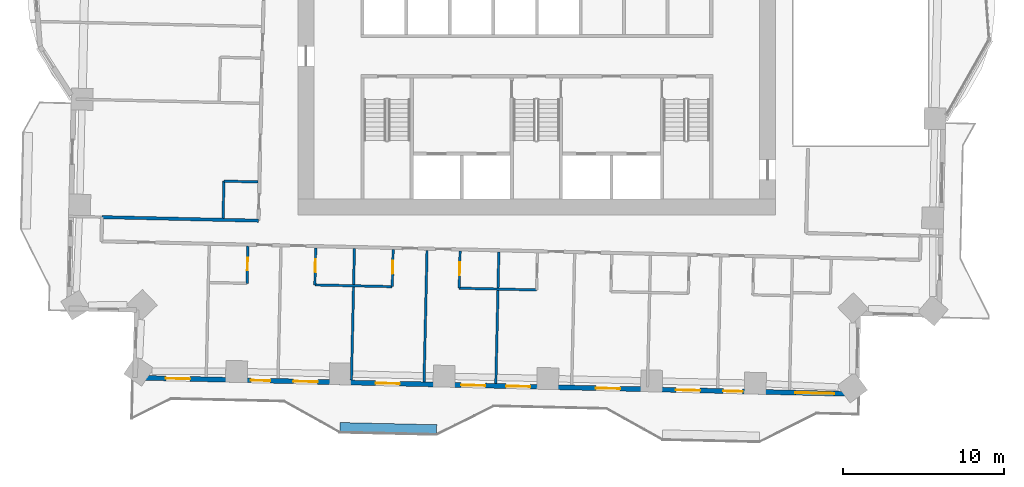
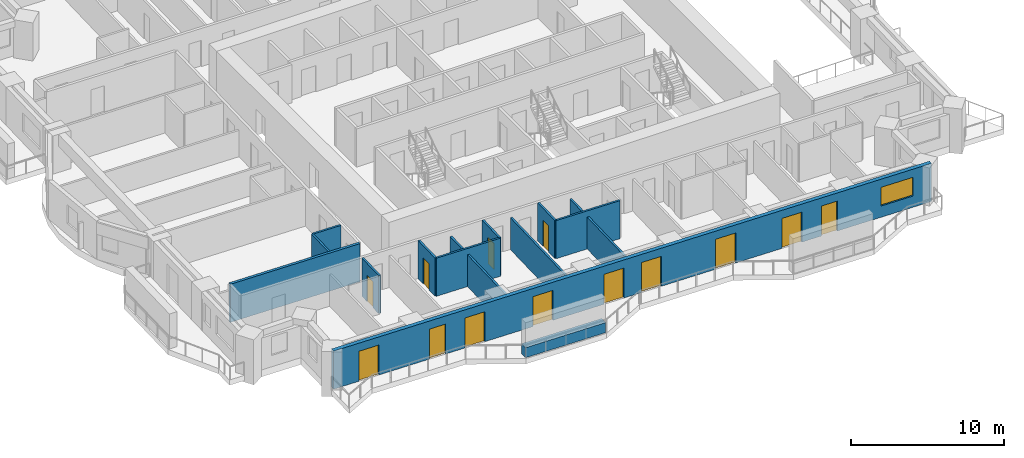
# One storey, part 6 of 16: 14 walls, 13 doors, 1 window, 14 openings.
"""IFC4 building model written with IfcOpenShell, lengths in metres."""

import ifcopenshell
import ifcopenshell.guid

model = None  # the IFC model being written
_history = None  # IfcOwnerHistory: only IFC2X3 demands one
_inside = {}  # id of a spatial element -> (the spatial element, [elements in it])
_under = {}  # id of a project, library or spatial element -> (it, [spatial elements below it])
_declared = {}  # id of a project -> (the project, [libraries it declares])
_typed = {}  # id of a type object -> (the type object, [elements of that type])
_made_of = {}  # id of a material, layer set ... -> (it, [elements and type objects made of it])


def new_model(schema):
    """Start an empty IFC model of exactly this schema.

    Asked for "IFC4X3", IfcOpenShell would pick the latest addendum, in which some entities
    have other attributes; the version numbers below select the first issue.
    IFC2X3 requires an IfcOwnerHistory on every rooted entity: one is made here for all.
    """
    global model, _history
    if schema == "IFC4X3":
        model = ifcopenshell.file(schema_version=(4, 3, 0, 0))
    else:
        model = ifcopenshell.file(schema=schema)
    _inside.clear()
    _under.clear()
    _declared.clear()
    _typed.clear()
    _made_of.clear()
    _history = None
    if model.schema == "IFC2X3":
        org = make("IfcOrganization", Name="unknown")
        user = make(
            "IfcPersonAndOrganization",
            ThePerson=make("IfcPerson", FamilyName="unknown"),
            TheOrganization=org,
        )
        app = make(
            "IfcApplication",
            ApplicationDeveloper=org,
            Version="unknown",
            ApplicationFullName="unknown",
            ApplicationIdentifier="unknown",
        )
        _history = make(
            "IfcOwnerHistory",
            OwningUser=user,
            OwningApplication=app,
            ChangeAction="ADDED",
            CreationDate=0,
        )
    return model


def make(cls, **values):
    """One entity of the class cls with the attributes given. An attribute that is None is left unset."""
    return model.create_entity(
        cls, **{name: value for name, value in values.items() if value is not None}
    )


def rooted(cls, **values):
    """An entity with a GlobalId (a new one), such as an element, a storey or a relation."""
    return make(cls, GlobalId=ifcopenshell.guid.new(), OwnerHistory=_history, **values)


def si_unit(unit_type, name, prefix=None):
    """IfcSIUnit, for example si_unit("LENGTHUNIT", "METRE", prefix="MILLI")."""
    return make("IfcSIUnit", UnitType=unit_type, Prefix=prefix, Name=name)


def assignment(units):
    """IfcUnitAssignment: the units of a project."""
    return None if units is None else make("IfcUnitAssignment", Units=units)


def point(xyz):
    """IfcCartesianPoint."""
    return None if xyz is None else make("IfcCartesianPoint", Coordinates=xyz)


def direction(xyz):
    """IfcDirection."""
    return None if xyz is None else make("IfcDirection", DirectionRatios=xyz)


def frame(location, z_axis=None, x_axis=None):
    """IfcAxis2Placement3D, a coordinate frame: its origin and axes. An axis left out is left unset."""
    return make(
        "IfcAxis2Placement3D",
        Location=point(location),
        Axis=direction(z_axis),
        RefDirection=direction(x_axis),
    )


def frame_2d(location, x_axis=None):
    """IfcAxis2Placement2D, a coordinate frame in the plane: its origin and x axis."""
    return make(
        "IfcAxis2Placement2D", Location=point(location), RefDirection=direction(x_axis)
    )


def origin():
    """The frame at (0, 0, 0) with its axes left unset."""
    return frame((0.0, 0.0, 0.0))


def place(relative_to, where):
    """IfcLocalPlacement: puts the frame where relative to a parent placement (None: the world)."""
    return make(
        "IfcLocalPlacement", PlacementRelTo=relative_to, RelativePlacement=where
    )


def context(
    kind, dimensions, precision=None, world=None, true_north=None, identifier=None
):
    """IfcGeometricRepresentationContext, for example the 3D "Model" context."""
    return make(
        "IfcGeometricRepresentationContext",
        ContextIdentifier=identifier,
        ContextType=kind,
        CoordinateSpaceDimension=dimensions,
        Precision=precision,
        WorldCoordinateSystem=world,
        TrueNorth=true_north,
    )


def subcontext(parent, identifier, kind, view, scale=None):
    """IfcGeometricRepresentationSubContext, for example "Body" below "Model"."""
    return make(
        "IfcGeometricRepresentationSubContext",
        ContextIdentifier=identifier,
        ContextType=kind,
        ParentContext=parent,
        TargetScale=scale,
        TargetView=view,
    )


def project(units=None, contexts=None):
    """IfcProject with its units and contexts."""
    return rooted(
        "IfcProject",
        Name="project",
        RepresentationContexts=contexts,
        UnitsInContext=assignment(units),
    )


def spatial(cls, under=None, at=None, **own):
    """A site, building, storey or space (cls), placed at a placement, below another one or the project."""
    s = rooted(cls, ObjectPlacement=at, **own)
    if under is not None:
        _under.setdefault(under.id(), (under, []))[1].append(s)
    return s


def profile(cls, at=None, kind="AREA", **sizes):
    """A parametric profile (cls). Its sizes go by their IFC names, for example OverallWidth=200.0."""
    return make(cls, ProfileType=kind, Position=at, **sizes)


def rectangle(**sizes):
    """IfcRectangleProfileDef."""
    return profile("IfcRectangleProfileDef", **sizes)


def extrude(swept, where, along, depth):
    """IfcExtrudedAreaSolid: the profile swept, set in the frame where, extruded along a direction by depth."""
    return make(
        "IfcExtrudedAreaSolid",
        SweptArea=swept,
        Position=where,
        ExtrudedDirection=direction(along),
        Depth=depth,
    )


def shape(context_of_items, identifier, shape_type, items):
    """IfcShapeRepresentation: the items that make up one representation, for example the "Body"."""
    return make(
        "IfcShapeRepresentation",
        ContextOfItems=context_of_items,
        RepresentationIdentifier=identifier,
        RepresentationType=shape_type,
        Items=items,
    )


def material(Name=None, Category=None):
    """IfcMaterial."""
    return make("IfcMaterial", Name=Name, Category=Category)


def layer(
    of_material, thickness, ventilated=None, Name=None, Category=None, Priority=None
):
    """IfcMaterialLayer: one layer of a wall or slab, of a material (None: an air gap)."""
    return make(
        "IfcMaterialLayer",
        Material=of_material,
        LayerThickness=thickness,
        IsVentilated=ventilated,
        Name=Name,
        Category=Category,
        Priority=Priority,
    )


def layer_set(layers, Name=None):
    """IfcMaterialLayerSet."""
    return make("IfcMaterialLayerSet", MaterialLayers=layers, LayerSetName=Name)


def made_of(thing, what):
    """Note that an element or type object is made of a material, layer set ...; save() writes the relation."""
    if what is not None:
        _made_of.setdefault(what.id(), (what, []))[1].append(thing)
    return thing


def type_object(cls, material=None, **own):
    """A type object (cls), such as IfcWallType, which elements share."""
    return made_of(rooted(cls, **own), material)


def element(
    cls,
    number,
    at=None,
    inside=None,
    cuts=None,
    type_object=None,
    material=None,
    context=None,
    identifier="Body",
    shape_type=None,
    held_by="IfcProductDefinitionShape",
    body=None,
    shapes=None,
    **own,
):
    """One element of the class cls, such as IfcWall. Its Tag is "e" and its number.

    at: its placement. inside: the storey or other place that contains it. cuts: it is an
    opening in that element (IfcRelVoidsElement). A single representation is given by context,
    identifier, shape_type and body (its items); several are given by shapes. held_by: the class
    of the entity that holds the representations. save() writes the other relations.
    """
    e = rooted(cls, Tag="e%d" % number, ObjectPlacement=at, **own)
    if body is not None:
        shapes = [shape(context, identifier, shape_type, body)]
    if shapes is not None:
        e.Representation = make(held_by, Representations=shapes)
    if inside is not None:
        _inside.setdefault(inside.id(), (inside, []))[1].append(e)
    if cuts is not None:
        rooted(
            "IfcRelVoidsElement", RelatingBuildingElement=cuts, RelatedOpeningElement=e
        )
    if type_object is not None:
        _typed.setdefault(type_object.id(), (type_object, []))[1].append(e)
    return made_of(e, material)


def fill(opening, filler):
    """IfcRelFillsElement: the door or window that sits in an opening."""
    return rooted(
        "IfcRelFillsElement",
        RelatingOpeningElement=opening,
        RelatedBuildingElement=filler,
    )


def aggregate(whole, parts):
    """IfcRelAggregates: a whole, such as a stair, and the parts it consists of."""
    return rooted("IfcRelAggregates", RelatingObject=whole, RelatedObjects=parts)


def save(model, path):
    """Write the relations noted so far, then the file.

    IfcRelAggregates (storeys below a building ...), IfcRelContainedInSpatialStructure (elements
    in a storey), IfcRelDefinesByType, IfcRelAssociatesMaterial and IfcRelDeclares: one each for
    every whole, place, type object, material and project.
    """
    for whole, parts in _under.values():
        aggregate(whole, parts)
    for where, things in _inside.values():
        rooted(
            "IfcRelContainedInSpatialStructure",
            RelatedElements=things,
            RelatingStructure=where,
        )
    for kind, things in _typed.values():
        rooted("IfcRelDefinesByType", RelatedObjects=things, RelatingType=kind)
    for what, things in _made_of.values():
        rooted("IfcRelAssociatesMaterial", RelatedObjects=things, RelatingMaterial=what)
    for by, libraries in _declared.values():
        rooted("IfcRelDeclares", RelatingContext=by, RelatedDefinitions=libraries)
    model.write(path)


model = new_model("IFC4")

# Units and contexts
model_context = context("Model", 3, precision=1e-05, world=origin(), true_north=direction((0.0, 1.0)))
body_context = subcontext(model_context, "Body", "Model", "MODEL_VIEW")
ifc_project = project(units=[si_unit("LENGTHUNIT", "METRE"), si_unit("AREAUNIT", "SQUARE_METRE"), si_unit("VOLUMEUNIT", "CUBIC_METRE"), si_unit("PLANEANGLEUNIT", "RADIAN"), si_unit("MASSUNIT", "GRAM", prefix="KILO")], contexts=[model_context])

# Site, building, storey
site_placement = place(None, origin())
site = spatial("IfcSite", under=ifc_project, at=site_placement, CompositionType="ELEMENT")
building_placement = place(site_placement, origin())
building = spatial("IfcBuilding", under=site, at=building_placement, Name="Mangrove Gate Tower", CompositionType="ELEMENT")
storey_placement = place(building_placement, frame((0.0, 0.0, 116.300048828125)))
storey = spatial("IfcBuildingStorey", under=building, at=storey_placement, Name="L29", CompositionType="ELEMENT", Elevation=116.300048828125)

# Wall
ifc_material_1 = material(Name="Gypsum board on steel stud, EI 60", Category="steel")
ifc_layer_1 = layer(ifc_material_1, 0.199951171875)
ifc_layer_set_1 = layer_set([ifc_layer_1], Name="Corridor wall EI 60")
wall_type_1 = type_object("IfcWallType", Name="Corridor wall EI 60", PredefinedType="PARTITIONING", material=ifc_layer_set_1)
wall_1_placement = place(storey_placement, frame((-26.944091796875, -11.928955078125, 0.0), z_axis=(0.0, 0.0, 1.0), x_axis=(0.999742757425, -0.022680806356, 0.0)))
element("IfcWall", 1, at=wall_1_placement, inside=storey, type_object=wall_type_1, Name="WALL-L29-029", PredefinedType="PARTITIONING", context=body_context, shape_type="SweptSolid", body=[
    extrude(rectangle(XDim=9.698486328125, YDim=0.199951171875, at=frame_2d((4.84912109375, 0.0))), origin(), (0.0, 0.0, 1.0), 3.050048828125),
])

# Wall, openings, doors, window
ifc_material_2 = material(Name="Limestone", Category="masonry")
ifc_layer_2 = layer(ifc_material_2, 0.0400390625, Name="Limestone cladding")
ifc_material_3 = material(Name="Ventilated air gap")
ifc_layer_3 = layer(ifc_material_3, 0.0400390625, Name="Ventilated cavity")
ifc_material_4 = material(Name="Mineral wool insulation")
ifc_layer_4 = layer(ifc_material_4, 0.06005859375, Name="Insulation")
ifc_material_5 = material(Name="Breather membrane")
ifc_layer_5 = layer(ifc_material_5, 0.001953125, Name="Breather membrane")
ifc_material_6 = material(Name="Concrete C20/25 blockwork", Category="masonry")
ifc_layer_6 = layer(ifc_material_6, 0.14990234375, Name="Blockwork backing wall")
ifc_material_7 = material(Name="Gypsum plaster")
ifc_layer_7 = layer(ifc_material_7, 0.008056640625, Name="Internal plaster")
ifc_layer_set_2 = layer_set([ifc_layer_2, ifc_layer_3, ifc_layer_4, ifc_layer_5, ifc_layer_6, ifc_layer_7], Name="External wall 300 limestone cladding")
wall_type_2 = type_object("IfcWallType", Name="External wall 300 limestone cladding", PredefinedType="SOLIDWALL", material=ifc_layer_set_2)
wall_2_placement = place(storey_placement, frame((-24.89404296875, -21.8779296875, 0.0), z_axis=(0.0, 0.0, 1.0), x_axis=(0.999742689045, -0.022683820265, 0.0)))
wall_2 = element("IfcWall", 2, at=wall_2_placement, inside=storey, type_object=wall_type_2, Name="WALL-L29-S13", PredefinedType="SOLIDWALL", context=body_context, shape_type="SweptSolid", body=[
    extrude(rectangle(XDim=44.70849609375, YDim=0.300048828125, at=frame_2d((22.354248046875, 0.0))), origin(), (0.0, 0.0, 1.0), 3.050048828125),
])
opening_1_placement = place(wall_2_placement, frame((1.902099609375, 0.0, 0.0)))
opening_1 = element("IfcOpeningElement", 3, at=opening_1_placement, cuts=wall_2, Name="Opening BD1", PredefinedType="OPENING", context=body_context, shape_type="SweptSolid", body=[
    extrude(rectangle(XDim=1.5, YDim=2.39990234375, at=frame_2d((0.75, 1.199951171875))), frame((0.0, 0.159912109375, 0.0), z_axis=(0.0, -1.0, 0.0), x_axis=(1.0, 0.0, 0.0)), (0.0, 0.0, 1.0), 0.320068359375),
])
opening_2_placement = place(wall_2_placement, frame((7.177978515625, 0.0, 0.0)))
opening_2 = element("IfcOpeningElement", 4, at=opening_2_placement, cuts=wall_2, Name="Opening BD2", PredefinedType="OPENING", context=body_context, shape_type="SweptSolid", body=[
    extrude(rectangle(XDim=1.199951171875, YDim=2.39990234375, at=frame_2d((0.60009765625, 1.199951171875))), frame((0.0, 0.159912109375, 0.0), z_axis=(0.0, -1.0, 0.0), x_axis=(1.0, 0.0, 0.0)), (0.0, 0.0, 1.0), 0.320068359375),
])
opening_3_placement = place(wall_2_placement, frame((9.81689453125, 0.0, 0.0)))
opening_3 = element("IfcOpeningElement", 5, at=opening_3_placement, cuts=wall_2, Name="Opening BD1", PredefinedType="OPENING", context=body_context, shape_type="SweptSolid", body=[
    extrude(rectangle(XDim=1.5, YDim=2.39990234375, at=frame_2d((0.75, 1.199951171875))), frame((0.0, 0.159912109375, 0.0), z_axis=(0.0, -1.0, 0.0), x_axis=(1.0, 0.0, 0.0)), (0.0, 0.0, 1.0), 0.320068359375),
])
opening_4_placement = place(wall_2_placement, frame((14.89990234375, 0.0, 0.0)))
opening_4 = element("IfcOpeningElement", 6, at=opening_4_placement, cuts=wall_2, Name="Opening BD1", PredefinedType="OPENING", context=body_context, shape_type="SweptSolid", body=[
    extrude(rectangle(XDim=1.5, YDim=2.39990234375, at=frame_2d((0.75, 1.199951171875))), frame((0.0, 0.159912109375, 0.0), z_axis=(0.0, -1.0, 0.0), x_axis=(1.0, 0.0, 0.0)), (0.0, 0.0, 1.0), 0.320068359375),
])
opening_5_placement = place(wall_2_placement, frame((20.20703125, 0.0, 0.0)))
opening_5 = element("IfcOpeningElement", 7, at=opening_5_placement, cuts=wall_2, Name="Opening BD1", PredefinedType="OPENING", context=body_context, shape_type="SweptSolid", body=[
    extrude(rectangle(XDim=1.5, YDim=2.39990234375, at=frame_2d((0.75, 1.199951171875))), frame((0.0, 0.159912109375, 0.0), z_axis=(0.0, -1.0, 0.0), x_axis=(1.0, 0.0, 0.0)), (0.0, 0.0, 1.0), 0.320068359375),
])
opening_6_placement = place(wall_2_placement, frame((22.9970703125, 0.0, 0.0)))
opening_6 = element("IfcOpeningElement", 8, at=opening_6_placement, cuts=wall_2, Name="Opening BD1", PredefinedType="OPENING", context=body_context, shape_type="SweptSolid", body=[
    extrude(rectangle(XDim=1.5, YDim=2.39990234375, at=frame_2d((0.75, 1.199951171875))), frame((0.0, 0.159912109375, 0.0), z_axis=(0.0, -1.0, 0.0), x_axis=(1.0, 0.0, 0.0)), (0.0, 0.0, 1.0), 0.320068359375),
])
opening_7_placement = place(wall_2_placement, frame((28.56201171875, 0.0, 0.0)))
opening_7 = element("IfcOpeningElement", 9, at=opening_7_placement, cuts=wall_2, Name="Opening BD1", PredefinedType="OPENING", context=body_context, shape_type="SweptSolid", body=[
    extrude(rectangle(XDim=1.5, YDim=2.39990234375, at=frame_2d((0.75, 1.199951171875))), frame((0.0, 0.159912109375, 0.0), z_axis=(0.0, -1.0, 0.0), x_axis=(1.0, 0.0, 0.0)), (0.0, 0.0, 1.0), 0.320068359375),
])
opening_8_placement = place(wall_2_placement, frame((33.511962890625, 0.0, 0.0)))
opening_8 = element("IfcOpeningElement", 10, at=opening_8_placement, cuts=wall_2, Name="Opening BD1", PredefinedType="OPENING", context=body_context, shape_type="SweptSolid", body=[
    extrude(rectangle(XDim=1.5, YDim=2.39990234375, at=frame_2d((0.75, 1.199951171875))), frame((0.0, 0.159912109375, 0.0), z_axis=(0.0, -1.0, 0.0), x_axis=(1.0, 0.0, 0.0)), (0.0, 0.0, 1.0), 0.320068359375),
])
opening_9_placement = place(wall_2_placement, frame((36.451904296875, 0.0, 0.0)))
opening_9 = element("IfcOpeningElement", 11, at=opening_9_placement, cuts=wall_2, Name="Opening BD2", PredefinedType="OPENING", context=body_context, shape_type="SweptSolid", body=[
    extrude(rectangle(XDim=1.199951171875, YDim=2.39990234375, at=frame_2d((0.60009765625, 1.199951171875))), frame((0.0, 0.159912109375, 0.0), z_axis=(0.0, -1.0, 0.0), x_axis=(1.0, 0.0, 0.0)), (0.0, 0.0, 1.0), 0.320068359375),
])
opening_10_placement = place(wall_2_placement, frame((40.923095703125, 0.0, 0.89990234375)))
opening_10 = element("IfcOpeningElement", 12, at=opening_10_placement, cuts=wall_2, Name="Opening W2", PredefinedType="OPENING", context=body_context, shape_type="SweptSolid", body=[
    extrude(rectangle(XDim=2.39990234375, YDim=1.5, at=frame_2d((1.199951171875, 0.75))), frame((0.0, 0.159912109375, 0.0), z_axis=(0.0, -1.0, 0.0), x_axis=(1.0, 0.0, 0.0)), (0.0, 0.0, 1.0), 0.320068359375),
])
ifc_material_8 = material(Name="Aluminium frame with laminated clear glass", Category="aluminium")
door_type_1 = type_object("IfcDoorType", Name="Balcony sliding door 1200x2400", OperationType="SLIDING_TO_LEFT", PredefinedType="DOOR", material=ifc_material_8)
door_1_placement = place(opening_2_placement, origin())
door_1 = element("IfcDoor", 13, at=door_1_placement, inside=storey, type_object=door_type_1, Name="DOOR-L29-S13-2", OperationType="SLIDING_TO_LEFT", OverallHeight=2.39990234375, OverallWidth=1.199951171875, PredefinedType="DOOR", context=body_context, shape_type="SweptSolid", body=[
    extrude(rectangle(XDim=1.199951171875, YDim=2.39990234375, at=frame_2d((0.60009765625, 1.199951171875))), frame((0.0, 0.02490234375, 0.0), z_axis=(0.0, -1.0, 0.0), x_axis=(1.0, 0.0, 0.0)), (0.0, 0.0, 1.0), 0.050048828125),
])
fill(opening_2, door_1)
door_2_placement = place(opening_9_placement, origin())
door_2 = element("IfcDoor", 14, at=door_2_placement, inside=storey, type_object=door_type_1, Name="DOOR-L29-S13-9", OperationType="SLIDING_TO_LEFT", OverallHeight=2.39990234375, OverallWidth=1.199951171875, PredefinedType="DOOR", context=body_context, shape_type="SweptSolid", body=[
    extrude(rectangle(XDim=1.199951171875, YDim=2.39990234375, at=frame_2d((0.60009765625, 1.199951171875))), frame((0.0, 0.02490234375, 0.0), z_axis=(0.0, -1.0, 0.0), x_axis=(1.0, 0.0, 0.0)), (0.0, 0.0, 1.0), 0.050048828125),
])
fill(opening_9, door_2)
ifc_material_9 = material(Name="Aluminium frame with laminated clear glass", Category="aluminium")
door_type_2 = type_object("IfcDoorType", Name="Balcony sliding door 1500x2400", OperationType="SLIDING_TO_LEFT", PredefinedType="DOOR", material=ifc_material_9)
door_3_placement = place(opening_1_placement, origin())
door_3 = element("IfcDoor", 15, at=door_3_placement, inside=storey, type_object=door_type_2, Name="DOOR-L29-S13-1", OperationType="SLIDING_TO_LEFT", OverallHeight=2.39990234375, OverallWidth=1.5, PredefinedType="DOOR", context=body_context, shape_type="SweptSolid", body=[
    extrude(rectangle(XDim=1.5, YDim=2.39990234375, at=frame_2d((0.75, 1.199951171875))), frame((0.0, 0.02490234375, 0.0), z_axis=(0.0, -1.0, 0.0), x_axis=(1.0, 0.0, 0.0)), (0.0, 0.0, 1.0), 0.050048828125),
])
fill(opening_1, door_3)
door_4_placement = place(opening_3_placement, origin())
door_4 = element("IfcDoor", 16, at=door_4_placement, inside=storey, type_object=door_type_2, Name="DOOR-L29-S13-3", OperationType="SLIDING_TO_LEFT", OverallHeight=2.39990234375, OverallWidth=1.5, PredefinedType="DOOR", context=body_context, shape_type="SweptSolid", body=[
    extrude(rectangle(XDim=1.5, YDim=2.39990234375, at=frame_2d((0.75, 1.199951171875))), frame((0.0, 0.02490234375, 0.0), z_axis=(0.0, -1.0, 0.0), x_axis=(1.0, 0.0, 0.0)), (0.0, 0.0, 1.0), 0.050048828125),
])
fill(opening_3, door_4)
door_5_placement = place(opening_4_placement, origin())
door_5 = element("IfcDoor", 17, at=door_5_placement, inside=storey, type_object=door_type_2, Name="DOOR-L29-S13-4", OperationType="SLIDING_TO_LEFT", OverallHeight=2.39990234375, OverallWidth=1.5, PredefinedType="DOOR", context=body_context, shape_type="SweptSolid", body=[
    extrude(rectangle(XDim=1.5, YDim=2.39990234375, at=frame_2d((0.75, 1.199951171875))), frame((0.0, 0.02490234375, 0.0), z_axis=(0.0, -1.0, 0.0), x_axis=(1.0, 0.0, 0.0)), (0.0, 0.0, 1.0), 0.050048828125),
])
fill(opening_4, door_5)
door_6_placement = place(opening_5_placement, origin())
door_6 = element("IfcDoor", 18, at=door_6_placement, inside=storey, type_object=door_type_2, Name="DOOR-L29-S13-5", OperationType="SLIDING_TO_LEFT", OverallHeight=2.39990234375, OverallWidth=1.5, PredefinedType="DOOR", context=body_context, shape_type="SweptSolid", body=[
    extrude(rectangle(XDim=1.5, YDim=2.39990234375, at=frame_2d((0.75, 1.199951171875))), frame((0.0, 0.02490234375, 0.0), z_axis=(0.0, -1.0, 0.0), x_axis=(1.0, 0.0, 0.0)), (0.0, 0.0, 1.0), 0.050048828125),
])
fill(opening_5, door_6)
door_7_placement = place(opening_6_placement, origin())
door_7 = element("IfcDoor", 19, at=door_7_placement, inside=storey, type_object=door_type_2, Name="DOOR-L29-S13-6", OperationType="SLIDING_TO_LEFT", OverallHeight=2.39990234375, OverallWidth=1.5, PredefinedType="DOOR", context=body_context, shape_type="SweptSolid", body=[
    extrude(rectangle(XDim=1.5, YDim=2.39990234375, at=frame_2d((0.75, 1.199951171875))), frame((0.0, 0.02490234375, 0.0), z_axis=(0.0, -1.0, 0.0), x_axis=(1.0, 0.0, 0.0)), (0.0, 0.0, 1.0), 0.050048828125),
])
fill(opening_6, door_7)
door_8_placement = place(opening_7_placement, origin())
door_8 = element("IfcDoor", 20, at=door_8_placement, inside=storey, type_object=door_type_2, Name="DOOR-L29-S13-7", OperationType="SLIDING_TO_LEFT", OverallHeight=2.39990234375, OverallWidth=1.5, PredefinedType="DOOR", context=body_context, shape_type="SweptSolid", body=[
    extrude(rectangle(XDim=1.5, YDim=2.39990234375, at=frame_2d((0.75, 1.199951171875))), frame((0.0, 0.02490234375, 0.0), z_axis=(0.0, -1.0, 0.0), x_axis=(1.0, 0.0, 0.0)), (0.0, 0.0, 1.0), 0.050048828125),
])
fill(opening_7, door_8)
door_9_placement = place(opening_8_placement, origin())
door_9 = element("IfcDoor", 21, at=door_9_placement, inside=storey, type_object=door_type_2, Name="DOOR-L29-S13-8", OperationType="SLIDING_TO_LEFT", OverallHeight=2.39990234375, OverallWidth=1.5, PredefinedType="DOOR", context=body_context, shape_type="SweptSolid", body=[
    extrude(rectangle(XDim=1.5, YDim=2.39990234375, at=frame_2d((0.75, 1.199951171875))), frame((0.0, 0.02490234375, 0.0), z_axis=(0.0, -1.0, 0.0), x_axis=(1.0, 0.0, 0.0)), (0.0, 0.0, 1.0), 0.050048828125),
])
fill(opening_8, door_9)
ifc_material_10 = material(Name="Aluminium frame with double-glazed low-e glass", Category="aluminium")
window_type = type_object("IfcWindowType", Name="Corner room window 2400x1500", PartitioningType="DOUBLE_PANEL_VERTICAL", PredefinedType="WINDOW", material=ifc_material_10)
window_placement = place(opening_10_placement, origin())
window = element("IfcWindow", 22, at=window_placement, inside=storey, type_object=window_type, Name="WIN-L29-S13-10", OverallHeight=1.5, OverallWidth=2.39990234375, PartitioningType="DOUBLE_PANEL_VERTICAL", PredefinedType="WINDOW", context=body_context, shape_type="SweptSolid", body=[
    extrude(rectangle(XDim=2.39990234375, YDim=1.5, at=frame_2d((1.199951171875, 0.75))), frame((0.0, 0.030029296875, 0.0), z_axis=(0.0, -1.0, 0.0), x_axis=(1.0, 0.0, 0.0)), (0.0, 0.0, 1.0), 0.06005859375),
])
fill(opening_10, window)

# Walls
ifc_material_11 = material(Name="Gypsum board on steel stud, EI 60", Category="steel")
ifc_layer_8 = layer(ifc_material_11, 0.14990234375)
ifc_layer_set_3 = layer_set([ifc_layer_8], Name="Party wall 150 EI 60")
wall_type_3 = type_object("IfcWallType", Name="Party wall 150 EI 60", PredefinedType="PARTITIONING", material=ifc_layer_set_3)
for number, where, z_axis, x_axis, name in (
    (23, (-11.489990234375, -22.031982421875, 0.0), (0.0, 0.0, 1.0), (0.022706435224, 0.999742175663, 0.0), "WALL-L29-003"),
    (24, (-6.990966796875, -22.134033203125, 0.0), (0.0, 0.0, 1.0), (0.022706435224, 0.999742175663, 0.0), "WALL-L29-004"),
):
    element("IfcWall", number, at=place(storey_placement, frame(where, z_axis=z_axis, x_axis=x_axis)), inside=storey, type_object=wall_type_3, Name=name, PredefinedType="PARTITIONING", context=body_context, shape_type="SweptSolid", body=[
        extrude(rectangle(XDim=8.150146484375, YDim=0.14990234375, at=frame_2d((4.0751953125, 0.0))), origin(), (0.0, 0.0, 1.0), 2.550048828125),
    ])
wall_3_placement = place(storey_placement, frame((-2.5419921875, -22.235107421875, 0.0), z_axis=(0.0, 0.0, 1.0), x_axis=(0.022705755232, 0.999742191107, 0.0)))
element("IfcWall", 25, at=wall_3_placement, inside=storey, type_object=wall_type_3, Name="WALL-L29-005", PredefinedType="PARTITIONING", context=body_context, shape_type="SweptSolid", body=[
    extrude(rectangle(XDim=8.150390625, YDim=0.14990234375, at=frame_2d((4.0751953125, 0.0))), origin(), (0.0, 0.0, 1.0), 2.550048828125),
])

# Wall, opening, door
wall_4_placement = place(storey_placement, frame((-17.955078125, -16.032958984375, 0.0), z_axis=(0.0, 0.0, 1.0), x_axis=(0.022612884682, 0.999744296031, 0.0)))
wall_4 = element("IfcWall", 26, at=wall_4_placement, inside=storey, type_object=wall_type_3, Name="WALL-L29-011", PredefinedType="PARTITIONING", context=body_context, shape_type="SweptSolid", body=[
    extrude(rectangle(XDim=2.299560546875, YDim=0.14990234375, at=frame_2d((1.14990234375, 0.0))), origin(), (0.0, 0.0, 1.0), 3.050048828125),
])
opening_11_placement = place(wall_4_placement, frame((0.800048828125, 0.0, 0.0)))
opening_11 = element("IfcOpeningElement", 27, at=opening_11_placement, cuts=wall_4, Name="Opening ED", PredefinedType="OPENING", context=body_context, shape_type="SweptSolid", body=[
    extrude(rectangle(XDim=0.800048828125, YDim=2.10009765625, at=frame_2d((0.39990234375, 1.050048828125))), frame((0.0, 0.0849609375, 0.0), z_axis=(0.0, -1.0, 0.0), x_axis=(1.0, 0.0, 0.0)), (0.0, 0.0, 1.0), 0.169921875),
])
ifc_material_12 = material(Name="Timber door leaf", Category="wood")
door_type_3 = type_object("IfcDoorType", Name="En-suite door 800", OperationType="SINGLE_SWING_LEFT", PredefinedType="DOOR", material=ifc_material_12)
door_10_placement = place(opening_11_placement, origin())
door_10 = element("IfcDoor", 28, at=door_10_placement, inside=storey, type_object=door_type_3, Name="DOOR-L29-ENS-c101", OperationType="SINGLE_SWING_LEFT", OverallHeight=2.10009765625, OverallWidth=0.800048828125, PredefinedType="DOOR", context=body_context, shape_type="SweptSolid", body=[
    extrude(rectangle(XDim=0.800048828125, YDim=2.10009765625, at=frame_2d((0.39990234375, 1.050048828125))), frame((0.0, 0.02490234375, 0.0), z_axis=(0.0, -1.0, 0.0), x_axis=(1.0, 0.0, 0.0)), (0.0, 0.0, 1.0), 0.050048828125),
])
fill(opening_11, door_10)

# Wall
wall_5_placement = place(storey_placement, frame((-13.760009765625, -16.12890625, 0.0), z_axis=(0.0, 0.0, 1.0), x_axis=(0.999741441463, -0.022738738327, 0.0)))
element("IfcWall", 29, at=wall_5_placement, inside=storey, type_object=wall_type_3, Name="WALL-L29-012", PredefinedType="PARTITIONING", context=body_context, shape_type="SweptSolid", body=[
    extrude(rectangle(XDim=4.79931640625, YDim=0.14990234375, at=frame_2d((2.399658203125, 0.0))), origin(), (0.0, 0.0, 1.0), 3.050048828125),
])

# Wall, opening, door
wall_6_placement = place(storey_placement, frame((-13.756103515625, -16.12890625, 0.0), z_axis=(0.0, 0.0, 1.0), x_axis=(0.022605686808, 0.999744458811, 0.0)))
wall_6 = element("IfcWall", 30, at=wall_6_placement, inside=storey, type_object=wall_type_3, Name="WALL-L29-013", PredefinedType="PARTITIONING", context=body_context, shape_type="SweptSolid", body=[
    extrude(rectangle(XDim=2.30029296875, YDim=0.14990234375, at=frame_2d((1.150146484375, 0.0))), origin(), (0.0, 0.0, 1.0), 3.050048828125),
])
opening_12_placement = place(wall_6_placement, frame((0.800048828125, 0.0, 0.0)))
opening_12 = element("IfcOpeningElement", 31, at=opening_12_placement, cuts=wall_6, Name="Opening ED", PredefinedType="OPENING", context=body_context, shape_type="SweptSolid", body=[
    extrude(rectangle(XDim=0.800048828125, YDim=2.10009765625, at=frame_2d((0.39990234375, 1.050048828125))), frame((0.0, 0.0849609375, 0.0), z_axis=(0.0, -1.0, 0.0), x_axis=(1.0, 0.0, 0.0)), (0.0, 0.0, 1.0), 0.169921875),
])
door_11_placement = place(opening_12_placement, origin())
door_11 = element("IfcDoor", 32, at=door_11_placement, inside=storey, type_object=door_type_3, Name="DOOR-L29-ENS-c102", OperationType="SINGLE_SWING_RIGHT", OverallHeight=2.10009765625, OverallWidth=0.800048828125, PredefinedType="DOOR", context=body_context, shape_type="SweptSolid", body=[
    extrude(rectangle(XDim=0.800048828125, YDim=2.10009765625, at=frame_2d((0.39990234375, 1.050048828125))), frame((0.0, 0.02490234375, 0.0), z_axis=(0.0, -1.0, 0.0), x_axis=(1.0, 0.0, 0.0)), (0.0, 0.0, 1.0), 0.050048828125),
])
fill(opening_12, door_11)

wall_7_placement = place(storey_placement, frame((-8.9580078125, -16.238037109375, 0.0), z_axis=(0.0, 0.0, 1.0), x_axis=(0.022603288534, 0.999744513037, 0.0)))
wall_7 = element("IfcWall", 33, at=wall_7_placement, inside=storey, type_object=wall_type_3, Name="WALL-L29-014", PredefinedType="PARTITIONING", context=body_context, shape_type="SweptSolid", body=[
    extrude(rectangle(XDim=2.300537109375, YDim=0.14990234375, at=frame_2d((1.150390625, 0.0))), origin(), (0.0, 0.0, 1.0), 3.050048828125),
])
opening_13_placement = place(wall_7_placement, frame((0.800048828125, 0.0, 0.0)))
opening_13 = element("IfcOpeningElement", 34, at=opening_13_placement, cuts=wall_7, Name="Opening ED", PredefinedType="OPENING", context=body_context, shape_type="SweptSolid", body=[
    extrude(rectangle(XDim=0.800048828125, YDim=2.10009765625, at=frame_2d((0.39990234375, 1.050048828125))), frame((0.0, 0.0849609375, 0.0), z_axis=(0.0, -1.0, 0.0), x_axis=(1.0, 0.0, 0.0)), (0.0, 0.0, 1.0), 0.169921875),
])
door_12_placement = place(opening_13_placement, origin())
door_12 = element("IfcDoor", 35, at=door_12_placement, inside=storey, type_object=door_type_3, Name="DOOR-L29-ENS-c103", OperationType="SINGLE_SWING_LEFT", OverallHeight=2.10009765625, OverallWidth=0.800048828125, PredefinedType="DOOR", context=body_context, shape_type="SweptSolid", body=[
    extrude(rectangle(XDim=0.800048828125, YDim=2.10009765625, at=frame_2d((0.39990234375, 1.050048828125))), frame((0.0, 0.02490234375, 0.0), z_axis=(0.0, -1.0, 0.0), x_axis=(1.0, 0.0, 0.0)), (0.0, 0.0, 1.0), 0.050048828125),
])
fill(opening_13, door_12)

# Wall
wall_8_placement = place(storey_placement, frame((-4.81298828125, -16.33203125, 0.0), z_axis=(0.0, 0.0, 1.0), x_axis=(0.999742701292, -0.022683280499, 0.0)))
element("IfcWall", 36, at=wall_8_placement, inside=storey, type_object=wall_type_3, Name="WALL-L29-015", PredefinedType="PARTITIONING", context=body_context, shape_type="SweptSolid", body=[
    extrude(rectangle(XDim=4.80029296875, YDim=0.14990234375, at=frame_2d((2.400146484375, 0.0))), origin(), (0.0, 0.0, 1.0), 3.050048828125),
])

# Wall, opening, door
wall_9_placement = place(storey_placement, frame((-4.80908203125, -16.33203125, 0.0), z_axis=(0.0, 0.0, 1.0), x_axis=(0.022603288534, 0.999744513037, 0.0)))
wall_9 = element("IfcWall", 37, at=wall_9_placement, inside=storey, type_object=wall_type_3, Name="WALL-L29-016", PredefinedType="PARTITIONING", context=body_context, shape_type="SweptSolid", body=[
    extrude(rectangle(XDim=2.300537109375, YDim=0.14990234375, at=frame_2d((1.150390625, 0.0))), origin(), (0.0, 0.0, 1.0), 3.050048828125),
])
opening_14_placement = place(wall_9_placement, frame((0.800048828125, 0.0, 0.0)))
opening_14 = element("IfcOpeningElement", 38, at=opening_14_placement, cuts=wall_9, Name="Opening ED", PredefinedType="OPENING", context=body_context, shape_type="SweptSolid", body=[
    extrude(rectangle(XDim=0.800048828125, YDim=2.10009765625, at=frame_2d((0.39990234375, 1.050048828125))), frame((0.0, 0.0849609375, 0.0), z_axis=(0.0, -1.0, 0.0), x_axis=(1.0, 0.0, 0.0)), (0.0, 0.0, 1.0), 0.169921875),
])
door_13_placement = place(opening_14_placement, origin())
door_13 = element("IfcDoor", 39, at=door_13_placement, inside=storey, type_object=door_type_3, Name="DOOR-L29-ENS-c204", OperationType="SINGLE_SWING_RIGHT", OverallHeight=2.10009765625, OverallWidth=0.800048828125, PredefinedType="DOOR", context=body_context, shape_type="SweptSolid", body=[
    extrude(rectangle(XDim=0.800048828125, YDim=2.10009765625, at=frame_2d((0.39990234375, 1.050048828125))), frame((0.0, 0.02490234375, 0.0), z_axis=(0.0, -1.0, 0.0), x_axis=(1.0, 0.0, 0.0)), (0.0, 0.0, 1.0), 0.050048828125),
])
fill(opening_14, door_13)

# Walls
wall_10_placement = place(storey_placement, frame((-19.444091796875, -11.9990234375, 0.0), z_axis=(0.0, 0.0, 1.0), x_axis=(0.022603288534, 0.999744513037, 0.0)))
element("IfcWall", 40, at=wall_10_placement, inside=storey, type_object=wall_type_3, Name="WALL-L29-030", PredefinedType="PARTITIONING", context=body_context, shape_type="SweptSolid", body=[
    extrude(rectangle(XDim=2.300537109375, YDim=0.14990234375, at=frame_2d((1.150390625, 0.0))), origin(), (0.0, 0.0, 1.0), 3.050048828125),
])
wall_11_placement = place(storey_placement, frame((-19.39306640625, -9.698974609375, 0.0), z_axis=(0.0, 0.0, 1.0), x_axis=(0.999737616439, -0.022906293375, 0.0)))
element("IfcWall", 41, at=wall_11_placement, inside=storey, type_object=wall_type_3, Name="WALL-L29-035", PredefinedType="PARTITIONING", context=body_context, shape_type="SweptSolid", body=[
    extrude(rectangle(XDim=2.099609375, YDim=0.14990234375, at=frame_2d((1.0498046875, 0.0))), origin(), (0.0, 0.0, 1.0), 3.050048828125),
])
ifc_material_13 = material(Name="Concrete C32/40", Category="concrete")
ifc_layer_9 = layer(ifc_material_13, 0.199951171875, Name="Planter trough wall")
ifc_material_14 = material(Name="Bituminous waterproofing membrane")
ifc_layer_10 = layer(ifc_material_14, 0.0048828125, Name="Waterproofing")
ifc_material_15 = material(Name="Drainage board and gravel")
ifc_layer_11 = layer(ifc_material_15, 0.044921875, Name="Drainage layer")
ifc_material_16 = material(Name="Planting soil")
ifc_layer_12 = layer(ifc_material_16, 0.300048828125, Name="Growing medium")
ifc_layer_set_4 = layer_set([ifc_layer_9, ifc_layer_10, ifc_layer_11, ifc_layer_12], Name="Planter wall 550 C32/40")
wall_type_4 = type_object("IfcWallType", Name="Planter wall 550 C32/40", PredefinedType="USERDEFINED", material=ifc_layer_set_4)
wall_12_placement = place(storey_placement, frame((-12.2060546875, -24.930908203125, 0.0), z_axis=(0.0, 0.0, 1.0), x_axis=(0.999743094499, -0.022665943652, 0.0)))
element("IfcWall", 42, at=wall_12_placement, inside=storey, type_object=wall_type_4, Name="PLANTER L29 S0.1", ObjectType="PLANTER", PredefinedType="USERDEFINED", context=body_context, shape_type="SweptSolid", body=[
    extrude(rectangle(XDim=5.99951171875, YDim=0.550048828125, at=frame_2d((2.999755859375, 0.0))), origin(), (0.0, 0.0, 1.0), 0.800048828125),
])

save(model, "model.ifc")
